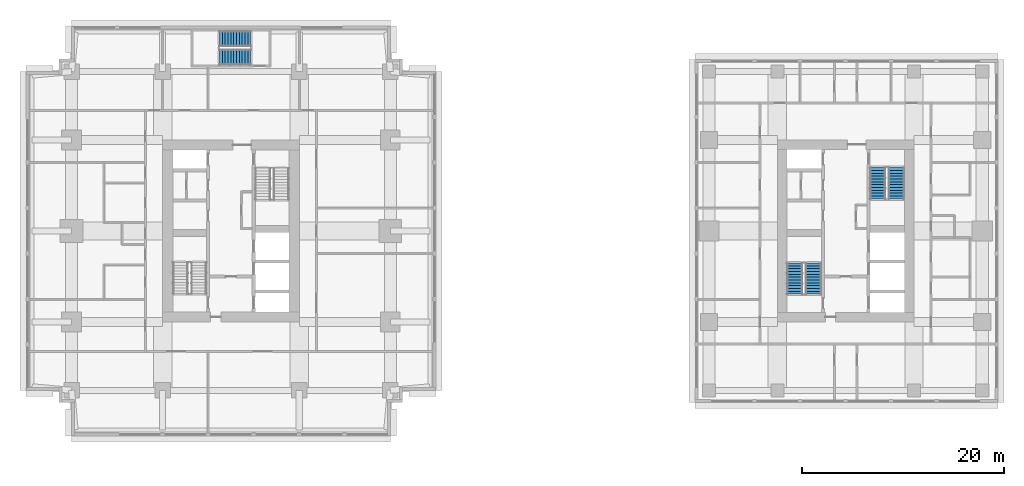
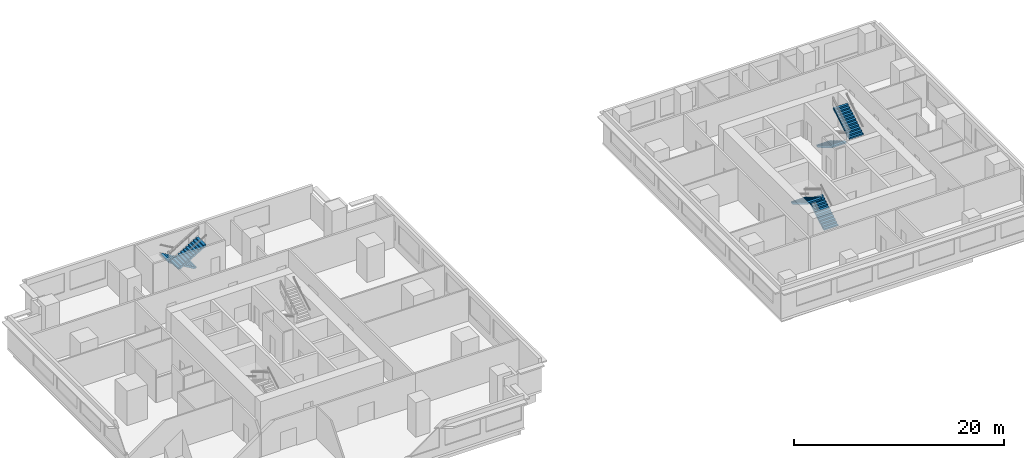
# One storey, part 9 of 11: 6 stair flights, 3 elements without a shape of their own.
"""IFC4 building model written with IfcOpenShell, lengths in metres."""

import ifcopenshell
import ifcopenshell.guid

model = None  # the IFC model being written
_history = None  # IfcOwnerHistory: only IFC2X3 demands one
_inside = {}  # id of a spatial element -> (the spatial element, [elements in it])
_under = {}  # id of a project, library or spatial element -> (it, [spatial elements below it])
_declared = {}  # id of a project -> (the project, [libraries it declares])
_typed = {}  # id of a type object -> (the type object, [elements of that type])
_made_of = {}  # id of a material, layer set ... -> (it, [elements and type objects made of it])


def new_model(schema):
    """Start an empty IFC model of exactly this schema.

    Asked for "IFC4X3", IfcOpenShell would pick the latest addendum, in which some entities
    have other attributes; the version numbers below select the first issue.
    IFC2X3 requires an IfcOwnerHistory on every rooted entity: one is made here for all.
    """
    global model, _history
    if schema == "IFC4X3":
        model = ifcopenshell.file(schema_version=(4, 3, 0, 0))
    else:
        model = ifcopenshell.file(schema=schema)
    _inside.clear()
    _under.clear()
    _declared.clear()
    _typed.clear()
    _made_of.clear()
    _history = None
    if model.schema == "IFC2X3":
        org = make("IfcOrganization", Name="unknown")
        user = make(
            "IfcPersonAndOrganization",
            ThePerson=make("IfcPerson", FamilyName="unknown"),
            TheOrganization=org,
        )
        app = make(
            "IfcApplication",
            ApplicationDeveloper=org,
            Version="unknown",
            ApplicationFullName="unknown",
            ApplicationIdentifier="unknown",
        )
        _history = make(
            "IfcOwnerHistory",
            OwningUser=user,
            OwningApplication=app,
            ChangeAction="ADDED",
            CreationDate=0,
        )
    return model


def make(cls, **values):
    """One entity of the class cls with the attributes given. An attribute that is None is left unset."""
    return model.create_entity(
        cls, **{name: value for name, value in values.items() if value is not None}
    )


def rooted(cls, **values):
    """An entity with a GlobalId (a new one), such as an element, a storey or a relation."""
    return make(cls, GlobalId=ifcopenshell.guid.new(), OwnerHistory=_history, **values)


def si_unit(unit_type, name, prefix=None):
    """IfcSIUnit, for example si_unit("LENGTHUNIT", "METRE", prefix="MILLI")."""
    return make("IfcSIUnit", UnitType=unit_type, Prefix=prefix, Name=name)


def assignment(units):
    """IfcUnitAssignment: the units of a project."""
    return None if units is None else make("IfcUnitAssignment", Units=units)


def point(xyz):
    """IfcCartesianPoint."""
    return None if xyz is None else make("IfcCartesianPoint", Coordinates=xyz)


def direction(xyz):
    """IfcDirection."""
    return None if xyz is None else make("IfcDirection", DirectionRatios=xyz)


def frame(location, z_axis=None, x_axis=None):
    """IfcAxis2Placement3D, a coordinate frame: its origin and axes. An axis left out is left unset."""
    return make(
        "IfcAxis2Placement3D",
        Location=point(location),
        Axis=direction(z_axis),
        RefDirection=direction(x_axis),
    )


def origin():
    """The frame at (0, 0, 0) with its axes left unset."""
    return frame((0.0, 0.0, 0.0))


def place(relative_to, where):
    """IfcLocalPlacement: puts the frame where relative to a parent placement (None: the world)."""
    return make(
        "IfcLocalPlacement", PlacementRelTo=relative_to, RelativePlacement=where
    )


def context(
    kind, dimensions, precision=None, world=None, true_north=None, identifier=None
):
    """IfcGeometricRepresentationContext, for example the 3D "Model" context."""
    return make(
        "IfcGeometricRepresentationContext",
        ContextIdentifier=identifier,
        ContextType=kind,
        CoordinateSpaceDimension=dimensions,
        Precision=precision,
        WorldCoordinateSystem=world,
        TrueNorth=true_north,
    )


def subcontext(parent, identifier, kind, view, scale=None):
    """IfcGeometricRepresentationSubContext, for example "Body" below "Model"."""
    return make(
        "IfcGeometricRepresentationSubContext",
        ContextIdentifier=identifier,
        ContextType=kind,
        ParentContext=parent,
        TargetScale=scale,
        TargetView=view,
    )


def project(units=None, contexts=None):
    """IfcProject with its units and contexts."""
    return rooted(
        "IfcProject",
        Name="project",
        RepresentationContexts=contexts,
        UnitsInContext=assignment(units),
    )


def spatial(cls, under=None, at=None, **own):
    """A site, building, storey or space (cls), placed at a placement, below another one or the project."""
    s = rooted(cls, ObjectPlacement=at, **own)
    if under is not None:
        _under.setdefault(under.id(), (under, []))[1].append(s)
    return s


def polyline(points):
    """IfcPolyline through the points."""
    return make("IfcPolyline", Points=[point(p) for p in points])


def outline(outer, holes=None, kind="AREA"):
    """IfcArbitraryClosedProfileDef: a profile drawn as a closed curve; with holes, ...WithVoids."""
    if holes is None:
        return make("IfcArbitraryClosedProfileDef", ProfileType=kind, OuterCurve=outer)
    return make(
        "IfcArbitraryProfileDefWithVoids",
        ProfileType=kind,
        OuterCurve=outer,
        InnerCurves=holes,
    )


def extrude(swept, where, along, depth):
    """IfcExtrudedAreaSolid: the profile swept, set in the frame where, extruded along a direction by depth."""
    return make(
        "IfcExtrudedAreaSolid",
        SweptArea=swept,
        Position=where,
        ExtrudedDirection=direction(along),
        Depth=depth,
    )


def shape(context_of_items, identifier, shape_type, items):
    """IfcShapeRepresentation: the items that make up one representation, for example the "Body"."""
    return make(
        "IfcShapeRepresentation",
        ContextOfItems=context_of_items,
        RepresentationIdentifier=identifier,
        RepresentationType=shape_type,
        Items=items,
    )


def material(Name=None, Category=None):
    """IfcMaterial."""
    return make("IfcMaterial", Name=Name, Category=Category)


def made_of(thing, what):
    """Note that an element or type object is made of a material, layer set ...; save() writes the relation."""
    if what is not None:
        _made_of.setdefault(what.id(), (what, []))[1].append(thing)
    return thing


def type_object(cls, material=None, **own):
    """A type object (cls), such as IfcWallType, which elements share."""
    return made_of(rooted(cls, **own), material)


def element(
    cls,
    number,
    at=None,
    inside=None,
    cuts=None,
    type_object=None,
    material=None,
    context=None,
    identifier="Body",
    shape_type=None,
    held_by="IfcProductDefinitionShape",
    body=None,
    shapes=None,
    **own,
):
    """One element of the class cls, such as IfcWall. Its Tag is "e" and its number.

    at: its placement. inside: the storey or other place that contains it. cuts: it is an
    opening in that element (IfcRelVoidsElement). A single representation is given by context,
    identifier, shape_type and body (its items); several are given by shapes. held_by: the class
    of the entity that holds the representations. save() writes the other relations.
    """
    e = rooted(cls, Tag="e%d" % number, ObjectPlacement=at, **own)
    if body is not None:
        shapes = [shape(context, identifier, shape_type, body)]
    if shapes is not None:
        e.Representation = make(held_by, Representations=shapes)
    if inside is not None:
        _inside.setdefault(inside.id(), (inside, []))[1].append(e)
    if cuts is not None:
        rooted(
            "IfcRelVoidsElement", RelatingBuildingElement=cuts, RelatedOpeningElement=e
        )
    if type_object is not None:
        _typed.setdefault(type_object.id(), (type_object, []))[1].append(e)
    return made_of(e, material)


def aggregate(whole, parts):
    """IfcRelAggregates: a whole, such as a stair, and the parts it consists of."""
    return rooted("IfcRelAggregates", RelatingObject=whole, RelatedObjects=parts)


def save(model, path):
    """Write the relations noted so far, then the file.

    IfcRelAggregates (storeys below a building ...), IfcRelContainedInSpatialStructure (elements
    in a storey), IfcRelDefinesByType, IfcRelAssociatesMaterial and IfcRelDeclares: one each for
    every whole, place, type object, material and project.
    """
    for whole, parts in _under.values():
        aggregate(whole, parts)
    for where, things in _inside.values():
        rooted(
            "IfcRelContainedInSpatialStructure",
            RelatedElements=things,
            RelatingStructure=where,
        )
    for kind, things in _typed.values():
        rooted("IfcRelDefinesByType", RelatedObjects=things, RelatingType=kind)
    for what, things in _made_of.values():
        rooted("IfcRelAssociatesMaterial", RelatedObjects=things, RelatingMaterial=what)
    for by, libraries in _declared.values():
        rooted("IfcRelDeclares", RelatingContext=by, RelatedDefinitions=libraries)
    model.write(path)


model = new_model("IFC4")

# Units and contexts
model_context = context("Model", 3, precision=1e-05, world=origin(), true_north=direction((0.0, 1.0)))
body_context = subcontext(model_context, "Body", "Model", "MODEL_VIEW")
ifc_project = project(units=[si_unit("LENGTHUNIT", "METRE"), si_unit("AREAUNIT", "SQUARE_METRE"), si_unit("VOLUMEUNIT", "CUBIC_METRE"), si_unit("PLANEANGLEUNIT", "RADIAN"), si_unit("MASSUNIT", "GRAM", prefix="KILO")], contexts=[model_context])

# Site, building, storey
site_placement = place(None, origin())
site = spatial("IfcSite", under=ifc_project, at=site_placement, CompositionType="ELEMENT")
building_placement = place(site_placement, origin())
building = spatial("IfcBuilding", under=site, at=building_placement, Name="Namib Vertical Campus", CompositionType="ELEMENT")
storey_placement = place(building_placement, frame((0.0, 0.0, 221.0)))
storey = spatial("IfcBuildingStorey", under=building, at=storey_placement, Name="L52", CompositionType="ELEMENT", Elevation=221.0)

# Stair, stair flights
ifc_material_1 = material(Name="Concrete C40/50 precast", Category="concrete")
stair_type_1 = type_object("IfcStairType", Name="Exit stair 4000 rise 24 risers 3350 wide", PredefinedType="HALF_TURN_STAIR", material=ifc_material_1)
stair_1_placement = place(storey_placement, origin())
stair_1 = element("IfcStair", 1, at=stair_1_placement, inside=storey, type_object=stair_type_1, Name="Exit stair A-S3 L52", PredefinedType="HALF_TURN_STAIR")
ifc_material_2 = material(Name="Concrete C40/50 precast", Category="concrete")
stair_flight_type_1 = type_object("IfcStairFlightType", Name="Stair flight 12 risers 167 1525 wide", PredefinedType="STRAIGHT", material=ifc_material_2)
stair_flight_1_placement = place(storey_placement, frame((22.199951171875, 39.237548828125, 0.0), z_axis=(0.0, 0.0, 1.0), x_axis=(-1.0, 0.0, 0.0)))
stair_flight_1 = element("IfcStairFlight", 2, at=stair_flight_1_placement, type_object=stair_flight_type_1, Name="A-S3 flight 1", NumberOfRisers=12, NumberOfTreads=11, PredefinedType="STRAIGHT", RiserHeight=0.166666667, TreadLength=0.28, context=body_context, shape_type="SweptSolid", body=[
    extrude(outline(polyline([(0.0, 0.0), (0.0, 0.166748046875), (0.280029296875, 0.166748046875), (0.280029296875, 0.333251953125), (0.56005859375, 0.333251953125), (0.56005859375, 0.5), (0.840087890625, 0.5), (0.840087890625, 0.666748046875), (1.1201171875, 0.666748046875), (1.1201171875, 0.833251953125), (1.39990234375, 0.833251953125), (1.39990234375, 1.0), (1.679931640625, 1.0), (1.679931640625, 1.166748046875), (1.9599609375, 1.166748046875), (1.9599609375, 1.333251953125), (2.239990234375, 1.333251953125), (2.239990234375, 1.5), (2.52001953125, 1.5), (2.52001953125, 1.666748046875), (2.800048828125, 1.666748046875), (2.800048828125, 1.833251953125), (3.080078125, 1.833251953125), (3.080078125, 2.0), (3.080078125, 1.658935546875), (0.29296875, 0.0), (0.0, 0.0)])), frame((0.0, 0.762451171875, 0.0), z_axis=(0.0, -1.0, 0.0), x_axis=(1.0, 0.0, 0.0)), (0.0, 0.0, 1.0), 1.52490234375),
])
stair_flight_2_placement = place(storey_placement, frame((19.1201171875, 37.41259765625, 2.0), z_axis=(0.0, 0.0, 1.0), x_axis=(1.0, 0.0, 0.0)))
stair_flight_2 = element("IfcStairFlight", 3, at=stair_flight_2_placement, type_object=stair_flight_type_1, Name="A-S3 flight 2", NumberOfRisers=12, NumberOfTreads=11, PredefinedType="STRAIGHT", RiserHeight=0.166666667, TreadLength=0.28, context=body_context, shape_type="SweptSolid", body=[
    extrude(outline(polyline([(0.0, 0.0), (0.0, 0.166748046875), (0.280029296875, 0.166748046875), (0.280029296875, 0.333251953125), (0.56005859375, 0.333251953125), (0.56005859375, 0.5), (0.840087890625, 0.5), (0.840087890625, 0.666748046875), (1.1201171875, 0.666748046875), (1.1201171875, 0.833251953125), (1.39990234375, 0.833251953125), (1.39990234375, 1.0), (1.679931640625, 1.0), (1.679931640625, 1.166748046875), (1.9599609375, 1.166748046875), (1.9599609375, 1.333251953125), (2.239990234375, 1.333251953125), (2.239990234375, 1.5), (2.52001953125, 1.5), (2.52001953125, 1.666748046875), (2.800048828125, 1.666748046875), (2.800048828125, 1.833251953125), (3.080078125, 1.833251953125), (3.080078125, 2.0), (3.080078125, 1.658935546875), (0.29296875, 0.0), (0.0, 0.0)])), frame((0.0, 0.762451171875, 0.0), z_axis=(0.0, -1.0, 0.0), x_axis=(1.0, 0.0, 0.0)), (0.0, 0.0, 1.0), 1.52490234375),
])
aggregate(stair_1, [stair_flight_1, stair_flight_2])

ifc_material_3 = material(Name="Concrete C40/50 precast", Category="concrete")
stair_type_2 = type_object("IfcStairType", Name="Exit stair 4000 rise 24 risers 3400 wide", PredefinedType="HALF_TURN_STAIR", material=ifc_material_3)
stair_2_placement = place(storey_placement, origin())
stair_2 = element("IfcStair", 4, at=stair_2_placement, inside=storey, type_object=stair_type_2, Name="Exit stair B-S1 L52", PredefinedType="HALF_TURN_STAIR")
ifc_material_4 = material(Name="Concrete C40/50 precast", Category="concrete")
stair_flight_type_2 = type_object("IfcStairFlightType", Name="Stair flight 12 risers 167 1550 wide", PredefinedType="STRAIGHT", material=ifc_material_4)
stair_flight_3_placement = place(storey_placement, frame((77.824951171875, 14.0, 0.0), z_axis=(0.0, 0.0, 1.0), x_axis=(0.0, 1.0, 0.0)))
stair_flight_3 = element("IfcStairFlight", 5, at=stair_flight_3_placement, type_object=stair_flight_type_2, Name="B-S1 flight 1", NumberOfRisers=12, NumberOfTreads=11, PredefinedType="STRAIGHT", RiserHeight=0.166666667, TreadLength=0.28, context=body_context, shape_type="SweptSolid", body=[
    extrude(outline(polyline([(0.0, 0.0), (0.0, 0.166748046875), (0.280029296875, 0.166748046875), (0.280029296875, 0.333251953125), (0.56005859375, 0.333251953125), (0.56005859375, 0.5), (0.840087890625, 0.5), (0.840087890625, 0.666748046875), (1.1201171875, 0.666748046875), (1.1201171875, 0.833251953125), (1.39990234375, 0.833251953125), (1.39990234375, 1.0), (1.679931640625, 1.0), (1.679931640625, 1.166748046875), (1.9599609375, 1.166748046875), (1.9599609375, 1.333251953125), (2.239990234375, 1.333251953125), (2.239990234375, 1.5), (2.52001953125, 1.5), (2.52001953125, 1.666748046875), (2.800048828125, 1.666748046875), (2.800048828125, 1.833251953125), (3.080078125, 1.833251953125), (3.080078125, 2.0), (3.080078125, 1.658935546875), (0.29296875, 0.0), (0.0, 0.0)])), frame((0.0, 0.77490234375, 0.0), z_axis=(0.0, -1.0, 0.0), x_axis=(1.0, 0.0, 0.0)), (0.0, 0.0, 1.0), 1.550048828125),
])
stair_flight_4_placement = place(storey_placement, frame((75.97509765625, 17.080078125, 2.0), z_axis=(0.0, 0.0, 1.0), x_axis=(0.0, -1.0, 0.0)))
stair_flight_4 = element("IfcStairFlight", 6, at=stair_flight_4_placement, type_object=stair_flight_type_2, Name="B-S1 flight 2", NumberOfRisers=12, NumberOfTreads=11, PredefinedType="STRAIGHT", RiserHeight=0.166666667, TreadLength=0.28, context=body_context, shape_type="SweptSolid", body=[
    extrude(outline(polyline([(0.0, 0.0), (0.0, 0.166748046875), (0.280029296875, 0.166748046875), (0.280029296875, 0.333251953125), (0.56005859375, 0.333251953125), (0.56005859375, 0.5), (0.840087890625, 0.5), (0.840087890625, 0.666748046875), (1.1201171875, 0.666748046875), (1.1201171875, 0.833251953125), (1.39990234375, 0.833251953125), (1.39990234375, 1.0), (1.679931640625, 1.0), (1.679931640625, 1.166748046875), (1.9599609375, 1.166748046875), (1.9599609375, 1.333251953125), (2.239990234375, 1.333251953125), (2.239990234375, 1.5), (2.52001953125, 1.5), (2.52001953125, 1.666748046875), (2.800048828125, 1.666748046875), (2.800048828125, 1.833251953125), (3.080078125, 1.833251953125), (3.080078125, 2.0), (3.080078125, 1.658935546875), (0.29296875, 0.0), (0.0, 0.0)])), frame((0.0, 0.77490234375, 0.0), z_axis=(0.0, -1.0, 0.0), x_axis=(1.0, 0.0, 0.0)), (0.0, 0.0, 1.0), 1.550048828125),
])
aggregate(stair_2, [stair_flight_3, stair_flight_4])

stair_3_placement = place(storey_placement, origin())
stair_3 = element("IfcStair", 7, at=stair_3_placement, inside=storey, type_object=stair_type_2, Name="Exit stair B-S2 L52", PredefinedType="HALF_TURN_STAIR")
stair_flight_5_placement = place(storey_placement, frame((84.175048828125, 26.5, 0.0), z_axis=(0.0, 0.0, 1.0), x_axis=(0.0, -1.0, 0.0)))
stair_flight_5 = element("IfcStairFlight", 8, at=stair_flight_5_placement, type_object=stair_flight_type_2, Name="B-S2 flight 1", NumberOfRisers=12, NumberOfTreads=11, PredefinedType="STRAIGHT", RiserHeight=0.166666667, TreadLength=0.28, context=body_context, shape_type="SweptSolid", body=[
    extrude(outline(polyline([(0.0, 0.0), (0.0, 0.166748046875), (0.280029296875, 0.166748046875), (0.280029296875, 0.333251953125), (0.56005859375, 0.333251953125), (0.56005859375, 0.5), (0.840087890625, 0.5), (0.840087890625, 0.666748046875), (1.1201171875, 0.666748046875), (1.1201171875, 0.833251953125), (1.39990234375, 0.833251953125), (1.39990234375, 1.0), (1.679931640625, 1.0), (1.679931640625, 1.166748046875), (1.9599609375, 1.166748046875), (1.9599609375, 1.333251953125), (2.239990234375, 1.333251953125), (2.239990234375, 1.5), (2.52001953125, 1.5), (2.52001953125, 1.666748046875), (2.800048828125, 1.666748046875), (2.800048828125, 1.833251953125), (3.080078125, 1.833251953125), (3.080078125, 2.0), (3.080078125, 1.658935546875), (0.29296875, 0.0), (0.0, 0.0)])), frame((0.0, 0.77490234375, 0.0), z_axis=(0.0, -1.0, 0.0), x_axis=(1.0, 0.0, 0.0)), (0.0, 0.0, 1.0), 1.550048828125),
])
stair_flight_6_placement = place(storey_placement, frame((86.02490234375, 23.419921875, 2.0), z_axis=(0.0, 0.0, 1.0), x_axis=(0.0, 1.0, 0.0)))
stair_flight_6 = element("IfcStairFlight", 9, at=stair_flight_6_placement, type_object=stair_flight_type_2, Name="B-S2 flight 2", NumberOfRisers=12, NumberOfTreads=11, PredefinedType="STRAIGHT", RiserHeight=0.166666667, TreadLength=0.28, context=body_context, shape_type="SweptSolid", body=[
    extrude(outline(polyline([(0.0, 0.0), (0.0, 0.166748046875), (0.280029296875, 0.166748046875), (0.280029296875, 0.333251953125), (0.56005859375, 0.333251953125), (0.56005859375, 0.5), (0.840087890625, 0.5), (0.840087890625, 0.666748046875), (1.1201171875, 0.666748046875), (1.1201171875, 0.833251953125), (1.39990234375, 0.833251953125), (1.39990234375, 1.0), (1.679931640625, 1.0), (1.679931640625, 1.166748046875), (1.9599609375, 1.166748046875), (1.9599609375, 1.333251953125), (2.239990234375, 1.333251953125), (2.239990234375, 1.5), (2.52001953125, 1.5), (2.52001953125, 1.666748046875), (2.800048828125, 1.666748046875), (2.800048828125, 1.833251953125), (3.080078125, 1.833251953125), (3.080078125, 2.0), (3.080078125, 1.658935546875), (0.29296875, 0.0), (0.0, 0.0)])), frame((0.0, 0.77490234375, 0.0), z_axis=(0.0, -1.0, 0.0), x_axis=(1.0, 0.0, 0.0)), (0.0, 0.0, 1.0), 1.550048828125),
])
aggregate(stair_3, [stair_flight_5, stair_flight_6])

save(model, "model.ifc")
